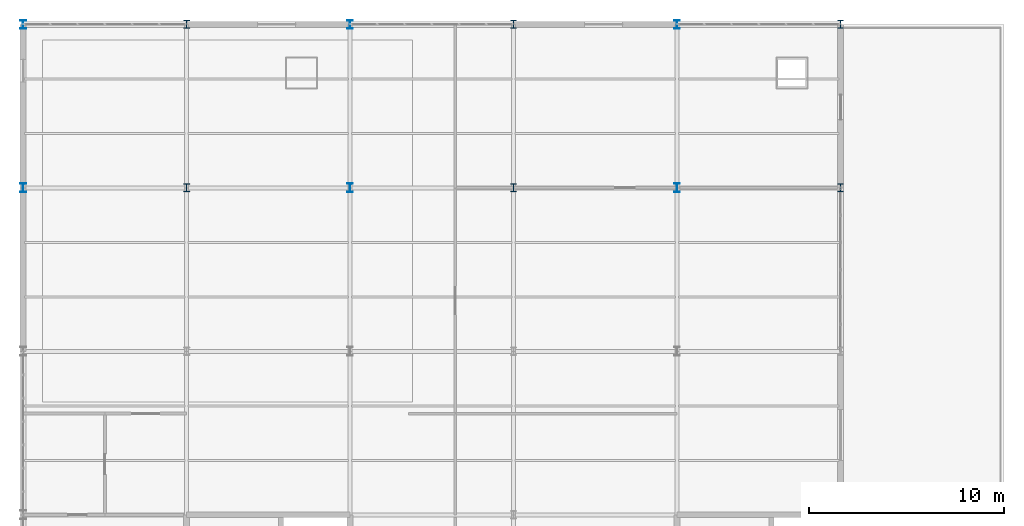
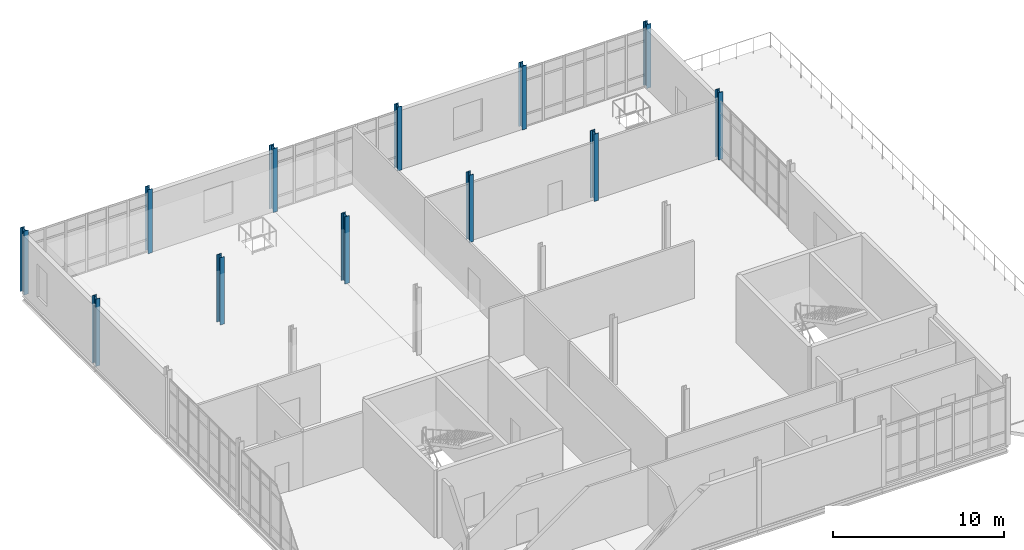
# One storey, part 3 of 28: 12 columns.
"""IFC4 building model written with IfcOpenShell, lengths in metres."""

from ifc_helpers import new_model, si_unit, direction, frame, origin, origin_2d, place, context, subcontext, project, spatial, i_section, extrude, material, material_profile, profile_set, type_object, element, save


model = new_model("IFC4")

# Units and contexts
model_context = context("Model", 3, precision=1e-05, world=origin(), true_north=direction((0.0, 1.0)))
body_context = subcontext(model_context, "Body", "Model", "MODEL_VIEW")
ifc_project = project(units=[si_unit("LENGTHUNIT", "METRE"), si_unit("AREAUNIT", "SQUARE_METRE"), si_unit("VOLUMEUNIT", "CUBIC_METRE"), si_unit("PLANEANGLEUNIT", "RADIAN"), si_unit("MASSUNIT", "GRAM", prefix="KILO")], contexts=[model_context])

# Site, building, storey
site_placement = place(None, origin())
site = spatial("IfcSite", under=ifc_project, at=site_placement, CompositionType="ELEMENT")
building_placement = place(site_placement, origin())
building = spatial("IfcBuilding", under=site, at=building_placement, Name="Qalvenar Corner Mobility Hub", CompositionType="ELEMENT")
storey_placement = place(building_placement, frame((0.0, 0.0, 21.60009765625)))
storey = spatial("IfcBuildingStorey", under=building, at=storey_placement, Name="L05", CompositionType="ELEMENT", Elevation=21.60009765625)

# Columns
ifc_material = material(Name="Steel S355", Category="steel")
ifc_material_profile_1 = material_profile(ifc_material, i_section(OverallWidth=0.300048828125, OverallDepth=0.39990234375, WebThickness=0.013427734375, FlangeThickness=0.02392578125, FilletRadius=0.027099609375, at=origin_2d()), Name="HEB400")
ifc_profile_set_1 = profile_set([ifc_material_profile_1], Name="Steel S355")
column_type_1 = type_object("IfcColumnType", Name="COL-HEB400", PredefinedType="COLUMN", material=ifc_profile_set_1)
column_1_placement = place(storey_placement, frame((8.39990234375, 33.60009765625, 0.0), z_axis=(0.0, 0.0, 1.0), x_axis=(1.0, 0.0, 0.0)))
element("IfcColumn", 1, at=column_1_placement, inside=storey, type_object=column_type_1, Name="Steel Column L05-G2-4", PredefinedType="COLUMN", context=body_context, shape_type="SweptSolid", body=[
    extrude(i_section(OverallWidth=0.300048828125, OverallDepth=0.39990234375, WebThickness=0.013427734375, FlangeThickness=0.02392578125, FilletRadius=0.027099609375, at=origin_2d()), origin(), (0.0, 0.0, 1.0), 4.7998046875),
])
column_2_placement = place(storey_placement, frame((8.39990234375, 42.0, 0.0), z_axis=(0.0, 0.0, 1.0), x_axis=(1.0, 0.0, 0.0)))
element("IfcColumn", 2, at=column_2_placement, inside=storey, type_object=column_type_1, Name="Steel Column L05-G2-5", PredefinedType="COLUMN", context=body_context, shape_type="SweptSolid", body=[
    extrude(i_section(OverallWidth=0.300048828125, OverallDepth=0.39990234375, WebThickness=0.013427734375, FlangeThickness=0.02392578125, FilletRadius=0.027099609375, at=origin_2d()), origin(), (0.0, 0.0, 1.0), 4.557861328125),
])
column_3_placement = place(storey_placement, frame((25.199951171875, 33.60009765625, 0.0), z_axis=(0.0, 0.0, 1.0), x_axis=(1.0, 0.0, 0.0)))
element("IfcColumn", 3, at=column_3_placement, inside=storey, type_object=column_type_1, Name="Steel Column L05-G4-4", PredefinedType="COLUMN", context=body_context, shape_type="SweptSolid", body=[
    extrude(i_section(OverallWidth=0.300048828125, OverallDepth=0.39990234375, WebThickness=0.013427734375, FlangeThickness=0.02392578125, FilletRadius=0.027099609375, at=origin_2d()), origin(), (0.0, 0.0, 1.0), 4.7998046875),
])
column_4_placement = place(storey_placement, frame((25.199951171875, 42.0, 0.0), z_axis=(0.0, 0.0, 1.0), x_axis=(1.0, 0.0, 0.0)))
element("IfcColumn", 4, at=column_4_placement, inside=storey, type_object=column_type_1, Name="Steel Column L05-G4-5", PredefinedType="COLUMN", context=body_context, shape_type="SweptSolid", body=[
    extrude(i_section(OverallWidth=0.300048828125, OverallDepth=0.39990234375, WebThickness=0.013427734375, FlangeThickness=0.02392578125, FilletRadius=0.027099609375, at=origin_2d()), origin(), (0.0, 0.0, 1.0), 4.557861328125),
])
column_5_placement = place(storey_placement, frame((42.0, 33.60009765625, 0.0), z_axis=(0.0, 0.0, 1.0), x_axis=(1.0, 0.0, 0.0)))
element("IfcColumn", 5, at=column_5_placement, inside=storey, type_object=column_type_1, Name="Steel Column L05-G6-4", PredefinedType="COLUMN", context=body_context, shape_type="SweptSolid", body=[
    extrude(i_section(OverallWidth=0.300048828125, OverallDepth=0.39990234375, WebThickness=0.013427734375, FlangeThickness=0.02392578125, FilletRadius=0.027099609375, at=origin_2d()), origin(), (0.0, 0.0, 1.0), 4.7998046875),
])
column_6_placement = place(storey_placement, frame((42.0, 42.0, 0.0), z_axis=(0.0, 0.0, 1.0), x_axis=(1.0, 0.0, 0.0)))
element("IfcColumn", 6, at=column_6_placement, inside=storey, type_object=column_type_1, Name="Steel Column L05-G6-5", PredefinedType="COLUMN", context=body_context, shape_type="SweptSolid", body=[
    extrude(i_section(OverallWidth=0.300048828125, OverallDepth=0.39990234375, WebThickness=0.013427734375, FlangeThickness=0.02392578125, FilletRadius=0.027099609375, at=origin_2d()), origin(), (0.0, 0.0, 1.0), 4.557861328125),
])
ifc_material_profile_2 = material_profile(ifc_material, i_section(OverallWidth=0.300048828125, OverallDepth=0.449951171875, WebThickness=0.013916015625, FlangeThickness=0.02587890625, FilletRadius=0.027099609375, at=origin_2d()), Name="HEB450")
ifc_profile_set_2 = profile_set([ifc_material_profile_2], Name="Steel S355")
column_type_2 = type_object("IfcColumnType", Name="COL-HEB450", PredefinedType="COLUMN", material=ifc_profile_set_2)
column_7_placement = place(storey_placement, frame((0.0, 33.60009765625, 0.0), z_axis=(0.0, 0.0, 1.0), x_axis=(1.0, 0.0, 0.0)))
element("IfcColumn", 7, at=column_7_placement, inside=storey, type_object=column_type_2, Name="Steel Column L05-G1-4", PredefinedType="COLUMN", context=body_context, shape_type="SweptSolid", body=[
    extrude(i_section(OverallWidth=0.300048828125, OverallDepth=0.449951171875, WebThickness=0.013916015625, FlangeThickness=0.02587890625, FilletRadius=0.027099609375, at=origin_2d()), origin(), (0.0, 0.0, 1.0), 4.7998046875),
])
column_8_placement = place(storey_placement, frame((0.0, 42.0, 0.0), z_axis=(0.0, 0.0, 1.0), x_axis=(1.0, 0.0, 0.0)))
element("IfcColumn", 8, at=column_8_placement, inside=storey, type_object=column_type_2, Name="Steel Column L05-G1-5", PredefinedType="COLUMN", context=body_context, shape_type="SweptSolid", body=[
    extrude(i_section(OverallWidth=0.300048828125, OverallDepth=0.449951171875, WebThickness=0.013916015625, FlangeThickness=0.02587890625, FilletRadius=0.027099609375, at=origin_2d()), origin(), (0.0, 0.0, 1.0), 4.557861328125),
])
column_9_placement = place(storey_placement, frame((16.800048828125, 33.60009765625, 0.0), z_axis=(0.0, 0.0, 1.0), x_axis=(1.0, 0.0, 0.0)))
element("IfcColumn", 9, at=column_9_placement, inside=storey, type_object=column_type_2, Name="Steel Column L05-G3-4", PredefinedType="COLUMN", context=body_context, shape_type="SweptSolid", body=[
    extrude(i_section(OverallWidth=0.300048828125, OverallDepth=0.449951171875, WebThickness=0.013916015625, FlangeThickness=0.02587890625, FilletRadius=0.027099609375, at=origin_2d()), origin(), (0.0, 0.0, 1.0), 4.7998046875),
])
column_10_placement = place(storey_placement, frame((16.800048828125, 42.0, 0.0), z_axis=(0.0, 0.0, 1.0), x_axis=(1.0, 0.0, 0.0)))
element("IfcColumn", 10, at=column_10_placement, inside=storey, type_object=column_type_2, Name="Steel Column L05-G3-5", PredefinedType="COLUMN", context=body_context, shape_type="SweptSolid", body=[
    extrude(i_section(OverallWidth=0.300048828125, OverallDepth=0.449951171875, WebThickness=0.013916015625, FlangeThickness=0.02587890625, FilletRadius=0.027099609375, at=origin_2d()), origin(), (0.0, 0.0, 1.0), 4.557861328125),
])
column_11_placement = place(storey_placement, frame((33.60009765625, 33.60009765625, 0.0), z_axis=(0.0, 0.0, 1.0), x_axis=(1.0, 0.0, 0.0)))
element("IfcColumn", 11, at=column_11_placement, inside=storey, type_object=column_type_2, Name="Steel Column L05-G5-4", PredefinedType="COLUMN", context=body_context, shape_type="SweptSolid", body=[
    extrude(i_section(OverallWidth=0.300048828125, OverallDepth=0.449951171875, WebThickness=0.013916015625, FlangeThickness=0.02587890625, FilletRadius=0.027099609375, at=origin_2d()), origin(), (0.0, 0.0, 1.0), 4.7998046875),
])
column_12_placement = place(storey_placement, frame((33.60009765625, 42.0, 0.0), z_axis=(0.0, 0.0, 1.0), x_axis=(1.0, 0.0, 0.0)))
element("IfcColumn", 12, at=column_12_placement, inside=storey, type_object=column_type_2, Name="Steel Column L05-G5-5", PredefinedType="COLUMN", context=body_context, shape_type="SweptSolid", body=[
    extrude(i_section(OverallWidth=0.300048828125, OverallDepth=0.449951171875, WebThickness=0.013916015625, FlangeThickness=0.02587890625, FilletRadius=0.027099609375, at=origin_2d()), origin(), (0.0, 0.0, 1.0), 4.557861328125),
])

save(model, "model.ifc")
